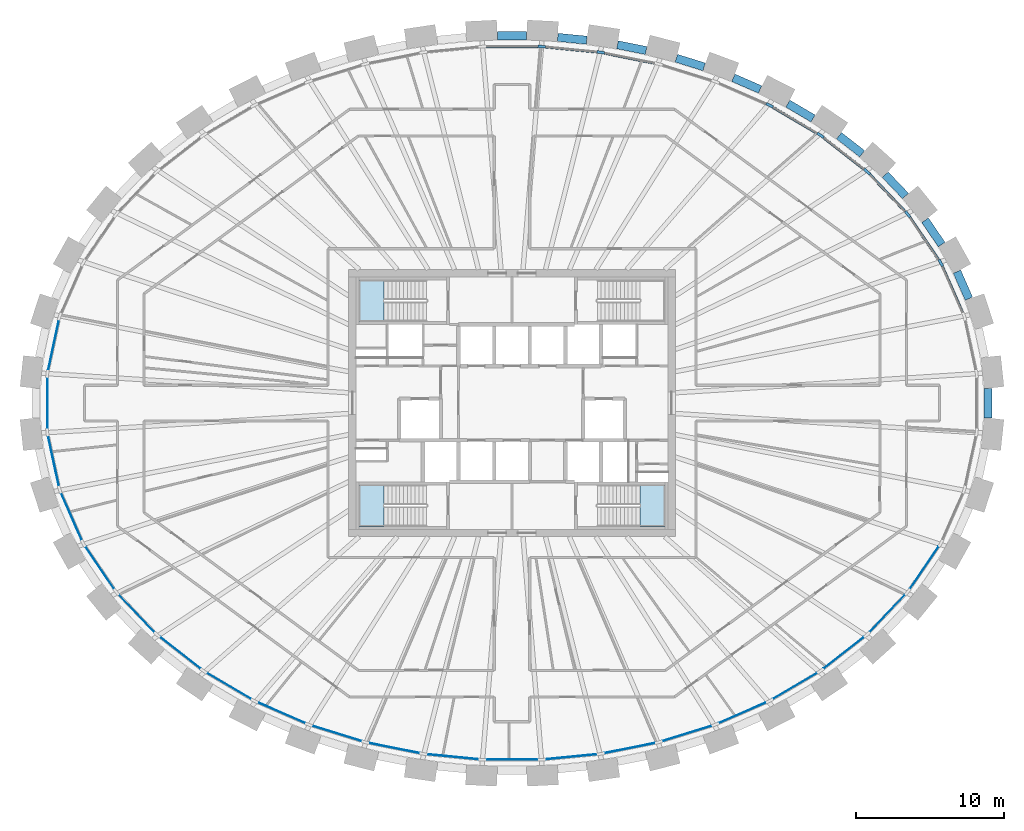
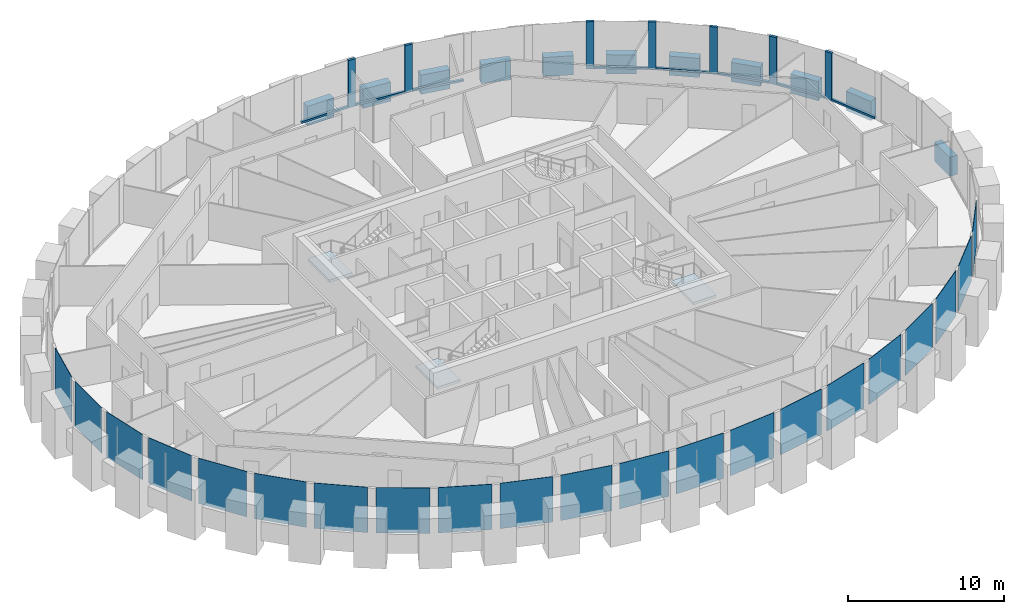
# One storey, part 4 of 12: 21 plates, 15 members, 11 beams, 3 slabs, 4 elements without a shape of their own.
"""IFC4 building model written with IfcOpenShell, lengths in metres."""

from ifc_helpers import new_model, si_unit, direction, frame, origin, origin_2d, place, context, subcontext, project, spatial, polyline, rectangle, outline, extrude, source, transform, mapped, material, layer, layer_set, material_profile, profile_set, type_object, element, aggregate, save


model = new_model("IFC4")

# Units and contexts
model_context = context("Model", 3, precision=1e-05, world=origin(), true_north=direction((0.0, 1.0)))
body_context = subcontext(model_context, "Body", "Model", "MODEL_VIEW")
ifc_project = project(units=[si_unit("LENGTHUNIT", "METRE"), si_unit("AREAUNIT", "SQUARE_METRE"), si_unit("VOLUMEUNIT", "CUBIC_METRE"), si_unit("PLANEANGLEUNIT", "RADIAN"), si_unit("MASSUNIT", "GRAM", prefix="KILO")], contexts=[model_context])

# Site, building, storey
site_placement = place(None, origin())
site = spatial("IfcSite", under=ifc_project, at=site_placement, CompositionType="ELEMENT")
building_placement = place(site_placement, origin())
building = spatial("IfcBuilding", under=site, at=building_placement, Name="Embergate Tower", CompositionType="ELEMENT")
storey_placement = place(building_placement, frame((0.0, 0.0, 273.39990234375)))
storey = spatial("IfcBuildingStorey", under=building, at=storey_placement, Name="L63", CompositionType="ELEMENT", Elevation=273.39990234375)

# Beams
ifc_material_1 = material(Name="Concrete C60", Category="concrete")
ifc_material_profile_1 = material_profile(ifc_material_1, rectangle(XDim=0.550048828125, YDim=1.5, at=origin_2d()), Name="RC 550x1500")
ifc_profile_set_1 = profile_set([ifc_material_profile_1], Name="Concrete C60")
beam_type = type_object("IfcBeamType", Name="Spandrel beam RC 550x1500 C60", PredefinedType="BEAM", material=ifc_profile_set_1)
shared_shape_1 = source(origin(), body_context, "Body", "SweptSolid", [
    extrude(rectangle(XDim=0.550048828125, YDim=1.5, at=origin_2d()), origin(), (0.0, 0.0, 1.0), 1.989990234375),
])
beam_1_placement = place(storey_placement, frame((30.777099609375, 7.032958984375, 0.0), z_axis=(-0.402047764255, 0.915618695341, 0.0), x_axis=(-0.915618695341, -0.402047764255, 0.0)))
element("IfcBeam", 1, at=beam_1_placement, inside=storey, type_object=beam_type, Name="SPN-L63-01", PredefinedType="BEAM", context=body_context, shape_type="MappedRepresentation", body=[
    mapped(shared_shape_1, transform((0.0, 0.0, 0.0))),
])
shared_shape_2 = source(origin(), body_context, "Body", "SweptSolid", [
    extrude(rectangle(XDim=0.550048828125, YDim=1.5, at=origin_2d()), origin(), (0.0, 0.0, 1.0), 1.982421875),
])
beam_2_placement = place(storey_placement, frame((28.943115234375, 10.68310546875, 0.0), z_axis=(-0.56257611142, 0.82674549824, 0.0), x_axis=(-0.82674549824, -0.56257611142, 0.0)))
element("IfcBeam", 2, at=beam_2_placement, inside=storey, type_object=beam_type, Name="SPN-L63-02", PredefinedType="BEAM", context=body_context, shape_type="MappedRepresentation", body=[
    mapped(shared_shape_2, transform((0.0, 0.0, 0.0))),
])
shared_shape_3 = source(origin(), body_context, "Body", "SweptSolid", [
    extrude(rectangle(XDim=0.550048828125, YDim=1.5, at=origin_2d()), origin(), (0.0, 0.0, 1.0), 1.97900390625),
])
beam_3_placement = place(storey_placement, frame((26.509033203125, 13.9560546875, 0.0), z_axis=(-0.690255649164, 0.723565573253, 0.0), x_axis=(-0.723565573253, -0.690255649164, 0.0)))
element("IfcBeam", 3, at=beam_3_placement, inside=storey, type_object=beam_type, Name="SPN-L63-03", PredefinedType="BEAM", context=body_context, shape_type="MappedRepresentation", body=[
    mapped(shared_shape_3, transform((0.0, 0.0, 0.0))),
])
shared_shape_4 = source(origin(), body_context, "Body", "SweptSolid", [
    extrude(rectangle(XDim=0.550048828125, YDim=1.5, at=origin_2d()), origin(), (0.0, 0.0, 1.0), 1.974853515625),
])
beam_4_placement = place(storey_placement, frame((23.5869140625, 16.797119140625, 0.0), z_axis=(-0.788385979859, 0.61518090572, 0.0), x_axis=(-0.61518090572, -0.788385979859, 0.0)))
element("IfcBeam", 4, at=beam_4_placement, inside=storey, type_object=beam_type, Name="SPN-L63-04", PredefinedType="BEAM", context=body_context, shape_type="MappedRepresentation", body=[
    mapped(shared_shape_4, transform((0.0, 0.0, 0.0))),
])
shared_shape_5 = source(origin(), body_context, "Body", "SweptSolid", [
    extrude(rectangle(XDim=0.550048828125, YDim=1.5, at=origin_2d()), origin(), (0.0, 0.0, 1.0), 1.969482421875),
])
beam_5_placement = place(storey_placement, frame((20.281982421875, 19.176025390625, 0.0), z_axis=(-0.862106236571, 0.506727576578, 0.0), x_axis=(-0.506727576578, -0.862106236571, 0.0)))
element("IfcBeam", 5, at=beam_5_placement, inside=storey, type_object=beam_type, Name="SPN-L63-05", PredefinedType="BEAM", context=body_context, shape_type="MappedRepresentation", body=[
    mapped(shared_shape_5, transform((0.0, 0.0, 0.0))),
])
shared_shape_6 = source(origin(), body_context, "Body", "SweptSolid", [
    extrude(rectangle(XDim=0.550048828125, YDim=1.5, at=origin_2d()), origin(), (0.0, 0.0, 1.0), 1.96630859375),
])
beam_6_placement = place(storey_placement, frame((16.714111328125, 21.12890625, 0.0), z_axis=(-0.916393681964, 0.400278177842, 0.0), x_axis=(-0.400278177842, -0.916393681964, 0.0)))
element("IfcBeam", 6, at=beam_6_placement, inside=storey, type_object=beam_type, Name="SPN-L63-06", PredefinedType="BEAM", context=body_context, shape_type="MappedRepresentation", body=[
    mapped(shared_shape_6, transform((0.0, 0.0, 0.0))),
])
shared_shape_7 = source(origin(), body_context, "Body", "SweptSolid", [
    extrude(rectangle(XDim=0.550048828125, YDim=1.5, at=origin_2d()), origin(), (0.0, 0.0, 1.0), 1.96484375),
])
beam_7_placement = place(storey_placement, frame((12.945068359375, 22.65087890625, 0.0), z_axis=(-0.954771364399, 0.297340951979, 0.0), x_axis=(-0.297340951979, -0.954771364399, 0.0)))
element("IfcBeam", 7, at=beam_7_placement, inside=storey, type_object=beam_type, Name="SPN-L63-07", PredefinedType="BEAM", context=body_context, shape_type="MappedRepresentation", body=[
    mapped(shared_shape_7, transform((0.0, 0.0, 0.0))),
])
shared_shape_8 = source(origin(), body_context, "Body", "SweptSolid", [
    extrude(rectangle(XDim=0.550048828125, YDim=1.5, at=origin_2d()), origin(), (0.0, 0.0, 1.0), 1.963134765625),
])
beam_8_placement = place(storey_placement, frame((9.033935546875, 23.7548828125, 0.0), z_axis=(-0.980580675691, 0.196116135138, 0.0), x_axis=(-0.196116135138, -0.980580675691, 0.0)))
element("IfcBeam", 8, at=beam_8_placement, inside=storey, type_object=beam_type, Name="SPN-L63-08", PredefinedType="BEAM", context=body_context, shape_type="MappedRepresentation", body=[
    mapped(shared_shape_8, transform((0.0, 0.0, 0.0))),
])
shared_shape_9 = source(origin(), body_context, "Body", "SweptSolid", [
    extrude(rectangle(XDim=0.550048828125, YDim=1.5, at=origin_2d()), origin(), (0.0, 0.0, 1.0), 1.96240234375),
])
beam_9_placement = place(storey_placement, frame((5.031982421875, 24.449951171875, 0.0), z_axis=(-0.99519482752, 0.097914530474, 0.0), x_axis=(-0.097914530474, -0.99519482752, 0.0)))
element("IfcBeam", 9, at=beam_9_placement, inside=storey, type_object=beam_type, Name="SPN-L63-09", PredefinedType="BEAM", context=body_context, shape_type="MappedRepresentation", body=[
    mapped(shared_shape_9, transform((0.0, 0.0, 0.0))),
])
shared_shape_10 = source(origin(), body_context, "Body", "SweptSolid", [
    extrude(rectangle(XDim=0.550048828125, YDim=1.5, at=origin_2d()), origin(), (0.0, 0.0, 1.0), 1.9619140625),
])
beam_10_placement = place(storey_placement, frame((0.98095703125, 24.7451171875, 0.0), z_axis=(-1.0, 0.0, 0.0), x_axis=(0.0, -1.0, 0.0)))
element("IfcBeam", 10, at=beam_10_placement, inside=storey, type_object=beam_type, Name="SPN-L63-10", PredefinedType="BEAM", context=body_context, shape_type="MappedRepresentation", body=[
    mapped(shared_shape_10, transform((0.0, 0.0, 0.0))),
])
shared_shape_11 = source(origin(), body_context, "Body", "SweptSolid", [
    extrude(rectangle(XDim=0.550048828125, YDim=1.5, at=origin_2d()), origin(), (0.0, 0.0, 1.0), 1.994140625),
])
beam_11_placement = place(storey_placement, frame((32.06396484375, -0.9970703125, 0.0), z_axis=(0.0, 1.0, 0.0), x_axis=(-1.0, 0.0, 0.0)))
element("IfcBeam", 11, at=beam_11_placement, inside=storey, type_object=beam_type, Name="SPN-L63-43", PredefinedType="BEAM", context=body_context, shape_type="MappedRepresentation", body=[
    mapped(shared_shape_11, transform((0.0, 0.0, 0.0))),
])

# Curtain wall, members, plates
ifc_material_2 = material(Name="Aluminium and glass", Category="aluminium")
curtain_wall_type = type_object("IfcCurtainWallType", Name="Recessed office glazing", PredefinedType="NOTDEFINED", material=ifc_material_2)
curtain_wall_placement = place(storey_placement, origin())
curtain_wall = element("IfcCurtainWall", 12, at=curtain_wall_placement, inside=storey, type_object=curtain_wall_type, Name="Recessed office glazing ring", ObjectType="RECESSED OFFICE GLAZING", PredefinedType="USERDEFINED")
ifc_material_3 = material(Name="Aluminium, thermally broken", Category="aluminium")
ifc_material_profile_2 = material_profile(ifc_material_3, rectangle(XDim=0.179931640625, YDim=0.52001953125, at=origin_2d()), Name="AL 520x180")
ifc_profile_set_2 = profile_set([ifc_material_profile_2], Name="Aluminium, thermally broken")
member_type_1 = type_object("IfcMemberType", Name="Office mullion", PredefinedType="MULLION", material=ifc_profile_set_2)
shared_shape_12 = source(origin(), body_context, "Body", "SweptSolid", [
    extrude(rectangle(XDim=0.179931640625, YDim=0.52001953125, at=origin_2d()), origin(), (0.0, 0.0, 1.0), 3.7001953125),
])
member_1_placement = place(storey_placement, frame((28.8837890625, 9.447998046875, 0.0), z_axis=(0.0, 0.0, 1.0), x_axis=(-0.874992601244, -0.484136290489, 0.0)))
member_1 = element("IfcMember", 13, at=member_1_placement, type_object=member_type_1, Name="CW mullion 3", PredefinedType="MULLION", context=body_context, shape_type="MappedRepresentation", body=[
    mapped(shared_shape_12, transform((0.0, 0.0, 0.0))),
])
member_2_placement = place(storey_placement, frame((26.656494140625, 12.72314453125, 0.0), z_axis=(0.0, 0.0, 1.0), x_axis=(-0.777861596203, -0.628435626897, 0.0)))
member_2 = element("IfcMember", 14, at=member_2_placement, type_object=member_type_1, Name="CW mullion 4", PredefinedType="MULLION", context=body_context, shape_type="MappedRepresentation", body=[
    mapped(shared_shape_12, transform((0.0, 0.0, 0.0))),
])
member_3_placement = place(storey_placement, frame((23.9169921875, 15.595703125, 0.0), z_axis=(0.0, 0.0, 1.0), x_axis=(-0.671216184057, -0.741261650337, 0.0)))
member_3 = element("IfcMember", 15, at=member_3_placement, type_object=member_type_1, Name="CW mullion 5", PredefinedType="MULLION", context=body_context, shape_type="MappedRepresentation", body=[
    mapped(shared_shape_12, transform((0.0, 0.0, 0.0))),
])
member_4_placement = place(storey_placement, frame((20.781982421875, 18.042236328125, 0.0), z_axis=(0.0, 0.0, 1.0), x_axis=(-0.562207514921, -0.82699619719, 0.0)))
member_4 = element("IfcMember", 16, at=member_4_placement, type_object=member_type_1, Name="CW mullion 6", PredefinedType="MULLION", context=body_context, shape_type="MappedRepresentation", body=[
    mapped(shared_shape_12, transform((0.0, 0.0, 0.0))),
])
member_5_placement = place(storey_placement, frame((17.34912109375, 20.060791015625, 0.0), z_axis=(0.0, 0.0, 1.0), x_axis=(-0.454503607328, -0.89074489666, 0.0)))
member_5 = element("IfcMember", 17, at=member_5_placement, type_object=member_type_1, Name="CW mullion 7", PredefinedType="MULLION", context=body_context, shape_type="MappedRepresentation", body=[
    mapped(shared_shape_12, transform((0.0, 0.0, 0.0))),
])
member_6_placement = place(storey_placement, frame((5.9716796875, 23.629638671875, 0.0), z_axis=(0.0, 0.0, 1.0), x_axis=(-0.147408930294, -0.989075632735, 0.0)))
member_6 = element("IfcMember", 18, at=member_6_placement, type_object=member_type_1, Name="CW mullion 10", PredefinedType="MULLION", context=body_context, shape_type="MappedRepresentation", body=[
    mapped(shared_shape_12, transform((0.0, 0.0, 0.0))),
])
member_7_placement = place(storey_placement, frame((1.9970703125, 24.020263671875, 0.0), z_axis=(0.0, 0.0, 1.0), x_axis=(-0.048970053385, -0.998800247232, 0.0)))
member_7 = element("IfcMember", 19, at=member_7_placement, type_object=member_type_1, Name="CW mullion 11", PredefinedType="MULLION", context=body_context, shape_type="MappedRepresentation", body=[
    mapped(shared_shape_12, transform((0.0, 0.0, 0.0))),
])
ifc_material_profile_3 = material_profile(ifc_material_3, rectangle(XDim=0.179931640625, YDim=0.14990234375, at=origin_2d()), Name="AL 150x180")
ifc_profile_set_3 = profile_set([ifc_material_profile_3], Name="Aluminium, thermally broken")
member_type_2 = type_object("IfcMemberType", Name="Office sill transom", PredefinedType="USERDEFINED", material=ifc_profile_set_3)
shared_shape_13 = source(origin(), body_context, "Body", "SweptSolid", [
    extrude(rectangle(XDim=0.179931640625, YDim=0.14990234375, at=origin_2d()), origin(), (0.0, 0.0, 1.0), 3.43212890625),
])
member_8_placement = place(storey_placement, frame((30.36669921875, 6.066650390625, 0.0751953125), z_axis=(-0.401632188585, 0.915801061963, 0.0), x_axis=(-0.915801061963, -0.401632188585, 0.0)))
member_8 = element("IfcMember", 20, at=member_8_placement, type_object=member_type_2, Name="CW transom 2.1", ObjectType="TRANSOM", PredefinedType="USERDEFINED", context=body_context, shape_type="MappedRepresentation", body=[
    mapped(shared_shape_13, transform((0.0, 0.0, 0.0))),
])
shared_shape_14 = source(origin(), body_context, "Body", "SweptSolid", [
    extrude(rectangle(XDim=0.179931640625, YDim=0.14990234375, at=origin_2d()), origin(), (0.0, 0.0, 1.0), 3.44091796875),
])
member_9_placement = place(storey_placement, frame((28.737548828125, 9.662841796875, 0.0751953125), z_axis=(-0.562372122954, 0.826884269607, 0.0), x_axis=(-0.826884269607, -0.562372122954, 0.0)))
member_9 = element("IfcMember", 21, at=member_9_placement, type_object=member_type_2, Name="CW transom 3.1", ObjectType="TRANSOM", PredefinedType="USERDEFINED", context=body_context, shape_type="MappedRepresentation", body=[
    mapped(shared_shape_14, transform((0.0, 0.0, 0.0))),
])
shared_shape_15 = source(origin(), body_context, "Body", "SweptSolid", [
    extrude(rectangle(XDim=0.179931640625, YDim=0.14990234375, at=origin_2d()), origin(), (0.0, 0.0, 1.0), 3.449462890625),
])
member_10_placement = place(storey_placement, frame((26.47705078125, 12.9111328125, 0.0751953125), z_axis=(-0.690133956855, 0.723681643815, 0.0), x_axis=(-0.723681643815, -0.690133956855, 0.0)))
member_10 = element("IfcMember", 22, at=member_10_placement, type_object=member_type_2, Name="CW transom 4.1", ObjectType="TRANSOM", PredefinedType="USERDEFINED", context=body_context, shape_type="MappedRepresentation", body=[
    mapped(shared_shape_15, transform((0.0, 0.0, 0.0))),
])
shared_shape_16 = source(origin(), body_context, "Body", "SweptSolid", [
    extrude(rectangle(XDim=0.179931640625, YDim=0.14990234375, at=origin_2d()), origin(), (0.0, 0.0, 1.0), 3.456787109375),
])
member_11_placement = place(storey_placement, frame((23.712158203125, 15.755615234375, 0.0751953125), z_axis=(-0.788343354806, 0.615235528016, 0.0), x_axis=(-0.615235528016, -0.788343354806, 0.0)))
member_11 = element("IfcMember", 23, at=member_11_placement, type_object=member_type_2, Name="CW transom 5.1", ObjectType="TRANSOM", PredefinedType="USERDEFINED", context=body_context, shape_type="MappedRepresentation", body=[
    mapped(shared_shape_16, transform((0.0, 0.0, 0.0))),
])
shared_shape_17 = source(origin(), body_context, "Body", "SweptSolid", [
    extrude(rectangle(XDim=0.179931640625, YDim=0.14990234375, at=origin_2d()), origin(), (0.0, 0.0, 1.0), 3.462646484375),
])
member_12_placement = place(storey_placement, frame((20.55810546875, 18.174072265625, 0.0751953125), z_axis=(-0.862068308193, 0.506792099394, 0.0), x_axis=(-0.506792099394, -0.862068308193, 0.0)))
member_12 = element("IfcMember", 24, at=member_12_placement, type_object=member_type_2, Name="CW transom 6.1", ObjectType="TRANSOM", PredefinedType="USERDEFINED", context=body_context, shape_type="MappedRepresentation", body=[
    mapped(shared_shape_17, transform((0.0, 0.0, 0.0))),
])
shared_shape_18 = source(origin(), body_context, "Body", "SweptSolid", [
    extrude(rectangle(XDim=0.179931640625, YDim=0.14990234375, at=origin_2d()), origin(), (0.0, 0.0, 1.0), 3.472412109375),
])
member_13_placement = place(storey_placement, frame((9.631103515625, 22.8955078125, 0.0751953125), z_axis=(-0.980472357372, 0.196656951134, 0.0), x_axis=(-0.196656951134, -0.980472357372, 0.0)))
member_13 = element("IfcMember", 25, at=member_13_placement, type_object=member_type_2, Name="CW transom 9.1", ObjectType="TRANSOM", PredefinedType="USERDEFINED", context=body_context, shape_type="MappedRepresentation", body=[
    mapped(shared_shape_18, transform((0.0, 0.0, 0.0))),
])
shared_shape_19 = source(origin(), body_context, "Body", "SweptSolid", [
    extrude(rectangle(XDim=0.179931640625, YDim=0.14990234375, at=origin_2d()), origin(), (0.0, 0.0, 1.0), 3.4736328125),
])
member_14_placement = place(storey_placement, frame((5.712890625, 23.655029296875, 0.0751953125), z_axis=(-0.99520279702, 0.0978334953, 0.0), x_axis=(-0.0978334953, -0.99520279702, 0.0)))
member_14 = element("IfcMember", 26, at=member_14_placement, type_object=member_type_2, Name="CW transom 10.1", ObjectType="TRANSOM", PredefinedType="USERDEFINED", context=body_context, shape_type="MappedRepresentation", body=[
    mapped(shared_shape_19, transform((0.0, 0.0, 0.0))),
])
shared_shape_20 = source(origin(), body_context, "Body", "SweptSolid", [
    extrude(rectangle(XDim=0.179931640625, YDim=0.14990234375, at=origin_2d()), origin(), (0.0, 0.0, 1.0), 3.47412109375),
])
member_15_placement = place(storey_placement, frame((1.737060546875, 24.020263671875, 0.0751953125), z_axis=(-1.0, 0.0, 0.0), x_axis=(0.0, -1.0, 0.0)))
member_15 = element("IfcMember", 27, at=member_15_placement, type_object=member_type_2, Name="CW transom 11.1", ObjectType="TRANSOM", PredefinedType="USERDEFINED", context=body_context, shape_type="MappedRepresentation", body=[
    mapped(shared_shape_20, transform((0.0, 0.0, 0.0))),
])
ifc_material_4 = material(Name="Triple glazing, low-emissivity coating", Category="glass")
ifc_layer_1 = layer(ifc_material_4, 0.035888671875)
ifc_layer_set_1 = layer_set([ifc_layer_1], Name="Triple glazing, low-emissivity coating")
plate_type = type_object("IfcPlateType", Name="Office glazing unit", PredefinedType="CURTAIN_PANEL", material=ifc_layer_set_1)
shared_shape_21 = source(origin(), body_context, "Body", "SweptSolid", [
    extrude(rectangle(XDim=3.42529296875, YDim=0.035888671875, at=origin_2d()), origin(), (0.0, 0.0, 1.0), 3.550048828125),
])
plate_1_placement = place(storey_placement, frame((-30.88623046875, 3.89990234375, 0.14990234375), z_axis=(0.0, 0.0, 1.0), x_axis=(-0.210401803698, -0.977614996305, 0.0)))
plate_1 = element("IfcPlate", 28, at=plate_1_placement, type_object=plate_type, Name="CW panel 21.1", PredefinedType="CURTAIN_PANEL", context=body_context, shape_type="MappedRepresentation", body=[
    mapped(shared_shape_21, transform((0.0, 0.0, 0.0))),
])
plate_2_placement = place(storey_placement, frame((-30.88623046875, -3.89990234375, 0.14990234375), z_axis=(0.0, 0.0, 1.0), x_axis=(0.210401803698, -0.977614996305, 0.0)))
plate_2 = element("IfcPlate", 29, at=plate_2_placement, type_object=plate_type, Name="CW panel 23.1", PredefinedType="CURTAIN_PANEL", context=body_context, shape_type="MappedRepresentation", body=[
    mapped(shared_shape_21, transform((0.0, 0.0, 0.0))),
])
shared_shape_22 = source(origin(), body_context, "Body", "SweptSolid", [
    extrude(rectangle(XDim=3.43212890625, YDim=0.035888671875, at=origin_2d()), origin(), (0.0, 0.0, 1.0), 3.550048828125),
])
plate_3_placement = place(storey_placement, frame((-29.677490234375, -7.63818359375, 0.14990234375), z_axis=(0.0, 0.0, 1.0), x_axis=(0.401658494584, -0.915789524797, 0.0)))
plate_3 = element("IfcPlate", 30, at=plate_3_placement, type_object=plate_type, Name="CW panel 24.1", PredefinedType="CURTAIN_PANEL", context=body_context, shape_type="MappedRepresentation", body=[
    mapped(shared_shape_22, transform((0.0, 0.0, 0.0))),
])
shared_shape_23 = source(origin(), body_context, "Body", "SweptSolid", [
    extrude(rectangle(XDim=3.44091796875, YDim=0.035888671875, at=origin_2d()), origin(), (0.0, 0.0, 1.0), 3.550048828125),
])
plate_4_placement = place(storey_placement, frame((-27.77001953125, -11.08544921875, 0.14990234375), z_axis=(0.0, 0.0, 1.0), x_axis=(0.562348958001, -0.826900023845, 0.0)))
plate_4 = element("IfcPlate", 31, at=plate_4_placement, type_object=plate_type, Name="CW panel 25.1", PredefinedType="CURTAIN_PANEL", context=body_context, shape_type="MappedRepresentation", body=[
    mapped(shared_shape_23, transform((0.0, 0.0, 0.0))),
])
plate_5_placement = place(storey_placement, frame((27.77001953125, -11.08544921875, 0.14990234375), z_axis=(0.0, 0.0, 1.0), x_axis=(0.562348958001, 0.826900023845, 0.0)))
plate_5 = element("IfcPlate", 32, at=plate_5_placement, type_object=plate_type, Name="CW panel 41.1", PredefinedType="CURTAIN_PANEL", context=body_context, shape_type="MappedRepresentation", body=[
    mapped(shared_shape_23, transform((0.0, 0.0, 0.0))),
])
shared_shape_24 = source(origin(), body_context, "Body", "SweptSolid", [
    extrude(rectangle(XDim=3.44921875, YDim=0.035888671875, at=origin_2d()), origin(), (0.0, 0.0, 1.0), 3.550048828125),
])
plate_6_placement = place(storey_placement, frame((-25.28662109375, -14.1591796875, 0.14990234375), z_axis=(0.0, 0.0, 1.0), x_axis=(0.6901388367, -0.723676990154, 0.0)))
plate_6 = element("IfcPlate", 33, at=plate_6_placement, type_object=plate_type, Name="CW panel 26.1", PredefinedType="CURTAIN_PANEL", context=body_context, shape_type="MappedRepresentation", body=[
    mapped(shared_shape_24, transform((0.0, 0.0, 0.0))),
])
plate_7_placement = place(storey_placement, frame((25.28662109375, -14.1591796875, 0.14990234375), z_axis=(0.0, 0.0, 1.0), x_axis=(0.6901388367, 0.723676990154, 0.0)))
plate_7 = element("IfcPlate", 34, at=plate_7_placement, type_object=plate_type, Name="CW panel 40.1", PredefinedType="CURTAIN_PANEL", context=body_context, shape_type="MappedRepresentation", body=[
    mapped(shared_shape_24, transform((0.0, 0.0, 0.0))),
])
shared_shape_25 = source(origin(), body_context, "Body", "SweptSolid", [
    extrude(rectangle(XDim=3.456787109375, YDim=0.035888671875, at=origin_2d()), origin(), (0.0, 0.0, 1.0), 3.550048828125),
])
plate_8_placement = place(storey_placement, frame((-22.349609375, -16.81884765625, 0.14990234375), z_axis=(0.0, 0.0, 1.0), x_axis=(0.788323340765, -0.615261172515, 0.0)))
plate_8 = element("IfcPlate", 35, at=plate_8_placement, type_object=plate_type, Name="CW panel 27.1", PredefinedType="CURTAIN_PANEL", context=body_context, shape_type="MappedRepresentation", body=[
    mapped(shared_shape_25, transform((0.0, 0.0, 0.0))),
])
plate_9_placement = place(storey_placement, frame((22.349609375, -16.81884765625, 0.14990234375), z_axis=(0.0, 0.0, 1.0), x_axis=(0.788323340765, 0.615261172515, 0.0)))
plate_9 = element("IfcPlate", 36, at=plate_9_placement, type_object=plate_type, Name="CW panel 39.1", PredefinedType="CURTAIN_PANEL", context=body_context, shape_type="MappedRepresentation", body=[
    mapped(shared_shape_25, transform((0.0, 0.0, 0.0))),
])
shared_shape_26 = source(origin(), body_context, "Body", "SweptSolid", [
    extrude(rectangle(XDim=3.462646484375, YDim=0.035888671875, at=origin_2d()), origin(), (0.0, 0.0, 1.0), 3.550048828125),
])
plate_10_placement = place(storey_placement, frame((-19.0654296875, -19.051513671875, 0.14990234375), z_axis=(0.0, 0.0, 1.0), x_axis=(0.862054936934, -0.506814843614, 0.0)))
plate_10 = element("IfcPlate", 37, at=plate_10_placement, type_object=plate_type, Name="CW panel 28.1", PredefinedType="CURTAIN_PANEL", context=body_context, shape_type="MappedRepresentation", body=[
    mapped(shared_shape_26, transform((0.0, 0.0, 0.0))),
])
plate_11_placement = place(storey_placement, frame((19.0654296875, -19.051513671875, 0.14990234375), z_axis=(0.0, 0.0, 1.0), x_axis=(0.862054936934, 0.506814843614, 0.0)))
plate_11 = element("IfcPlate", 38, at=plate_11_placement, type_object=plate_type, Name="CW panel 38.1", PredefinedType="CURTAIN_PANEL", context=body_context, shape_type="MappedRepresentation", body=[
    mapped(shared_shape_26, transform((0.0, 0.0, 0.0))),
])
shared_shape_27 = source(origin(), body_context, "Body", "SweptSolid", [
    extrude(rectangle(XDim=3.467041015625, YDim=0.035888671875, at=origin_2d()), origin(), (0.0, 0.0, 1.0), 3.550048828125),
])
plate_12_placement = place(storey_placement, frame((-15.5224609375, -20.859375, 0.14990234375), z_axis=(0.0, 0.0, 1.0), x_axis=(0.916237610228, -0.400635297502, 0.0)))
plate_12 = element("IfcPlate", 39, at=plate_12_placement, type_object=plate_type, Name="CW panel 29.1", PredefinedType="CURTAIN_PANEL", context=body_context, shape_type="MappedRepresentation", body=[
    mapped(shared_shape_27, transform((0.0, 0.0, 0.0))),
])
plate_13_placement = place(storey_placement, frame((15.5224609375, -20.859375, 0.14990234375), z_axis=(0.0, 0.0, 1.0), x_axis=(0.916237610228, 0.400635297502, 0.0)))
plate_13 = element("IfcPlate", 40, at=plate_13_placement, type_object=plate_type, Name="CW panel 37.1", PredefinedType="CURTAIN_PANEL", context=body_context, shape_type="MappedRepresentation", body=[
    mapped(shared_shape_27, transform((0.0, 0.0, 0.0))),
])
shared_shape_28 = source(origin(), body_context, "Body", "SweptSolid", [
    extrude(rectangle(XDim=3.47021484375, YDim=0.035888671875, at=origin_2d()), origin(), (0.0, 0.0, 1.0), 3.550048828125),
])
plate_14_placement = place(storey_placement, frame((-11.791015625, -22.251220703125, 0.14990234375), z_axis=(0.0, 0.0, 1.0), x_axis=(0.954772736126, -0.297336547283, 0.0)))
plate_14 = element("IfcPlate", 41, at=plate_14_placement, type_object=plate_type, Name="CW panel 30.1", PredefinedType="CURTAIN_PANEL", context=body_context, shape_type="MappedRepresentation", body=[
    mapped(shared_shape_28, transform((0.0, 0.0, 0.0))),
])
plate_15_placement = place(storey_placement, frame((11.791015625, -22.251220703125, 0.14990234375), z_axis=(0.0, 0.0, 1.0), x_axis=(0.954772736126, 0.297336547283, 0.0)))
plate_15 = element("IfcPlate", 42, at=plate_15_placement, type_object=plate_type, Name="CW panel 36.1", PredefinedType="CURTAIN_PANEL", context=body_context, shape_type="MappedRepresentation", body=[
    mapped(shared_shape_28, transform((0.0, 0.0, 0.0))),
])
shared_shape_29 = source(origin(), body_context, "Body", "SweptSolid", [
    extrude(rectangle(XDim=3.472412109375, YDim=0.035888671875, at=origin_2d()), origin(), (0.0, 0.0, 1.0), 3.550048828125),
])
plate_16_placement = place(storey_placement, frame((-7.928955078125, -23.237060546875, 0.14990234375), z_axis=(0.0, 0.0, 1.0), x_axis=(0.980476250608, -0.196637539636, 0.0)))
plate_16 = element("IfcPlate", 43, at=plate_16_placement, type_object=plate_type, Name="CW panel 31.1", PredefinedType="CURTAIN_PANEL", context=body_context, shape_type="MappedRepresentation", body=[
    mapped(shared_shape_29, transform((0.0, 0.0, 0.0))),
])
plate_17_placement = place(storey_placement, frame((7.928955078125, -23.237060546875, 0.14990234375), z_axis=(0.0, 0.0, 1.0), x_axis=(0.980476250608, 0.196637539636, 0.0)))
plate_17 = element("IfcPlate", 44, at=plate_17_placement, type_object=plate_type, Name="CW panel 35.1", PredefinedType="CURTAIN_PANEL", context=body_context, shape_type="MappedRepresentation", body=[
    mapped(shared_shape_29, transform((0.0, 0.0, 0.0))),
])
shared_shape_30 = source(origin(), body_context, "Body", "SweptSolid", [
    extrude(rectangle(XDim=3.4736328125, YDim=0.035888671875, at=origin_2d()), origin(), (0.0, 0.0, 1.0), 3.550048828125),
])
plate_18_placement = place(storey_placement, frame((-3.984375, -23.824951171875, 0.14990234375), z_axis=(0.0, 0.0, 1.0), x_axis=(0.995203355531, -0.09782781373, 0.0)))
plate_18 = element("IfcPlate", 45, at=plate_18_placement, type_object=plate_type, Name="CW panel 32.1", PredefinedType="CURTAIN_PANEL", context=body_context, shape_type="MappedRepresentation", body=[
    mapped(shared_shape_30, transform((0.0, 0.0, 0.0))),
])
plate_19_placement = place(storey_placement, frame((3.984375, -23.824951171875, 0.14990234375), z_axis=(0.0, 0.0, 1.0), x_axis=(0.995203355531, 0.09782781373, 0.0)))
plate_19 = element("IfcPlate", 46, at=plate_19_placement, type_object=plate_type, Name="CW panel 34.1", PredefinedType="CURTAIN_PANEL", context=body_context, shape_type="MappedRepresentation", body=[
    mapped(shared_shape_30, transform((0.0, 0.0, 0.0))),
])
shared_shape_31 = source(origin(), body_context, "Body", "SweptSolid", [
    extrude(rectangle(XDim=3.47412109375, YDim=0.035888671875, at=origin_2d()), origin(), (0.0, 0.0, 1.0), 3.550048828125),
])
plate_20_placement = place(storey_placement, frame((0.0, -24.020263671875, 0.14990234375), z_axis=(0.0, 0.0, 1.0), x_axis=(1.0, 0.0, 0.0)))
plate_20 = element("IfcPlate", 47, at=plate_20_placement, type_object=plate_type, Name="CW panel 33.1", PredefinedType="CURTAIN_PANEL", context=body_context, shape_type="MappedRepresentation", body=[
    mapped(shared_shape_31, transform((0.0, 0.0, 0.0))),
])
shared_shape_32 = source(origin(), body_context, "Body", "SweptSolid", [
    extrude(rectangle(XDim=3.4228515625, YDim=0.035888671875, at=origin_2d()), origin(), (0.0, 0.0, 1.0), 3.550048828125),
])
plate_21_placement = place(storey_placement, frame((-31.301513671875, 0.0, 0.14990234375), z_axis=(0.0, 0.0, 1.0), x_axis=(0.0, -1.0, 0.0)))
plate_21 = element("IfcPlate", 48, at=plate_21_placement, type_object=plate_type, Name="CW panel 22.1", PredefinedType="CURTAIN_PANEL", context=body_context, shape_type="MappedRepresentation", body=[
    mapped(shared_shape_32, transform((0.0, 0.0, 0.0))),
])
aggregate(curtain_wall, [member_1, member_2, member_3, member_4, member_5, member_6, member_7, member_8, member_9, member_10, member_11, member_12, member_13, member_14, member_15, plate_1, plate_21, plate_2, plate_3, plate_4, plate_6, plate_8, plate_10, plate_12, plate_14, plate_16, plate_18, plate_20, plate_19, plate_17, plate_15, plate_13, plate_11, plate_9, plate_7, plate_5])

# Stair, slab
ifc_material_5 = material(Name="Exit stair")
stair_type = type_object("IfcStairType", Name="Exit stair", PredefinedType="HALF_TURN_STAIR", material=ifc_material_5)
stair_1_placement = place(storey_placement, origin())
stair_1 = element("IfcStair", 49, at=stair_1_placement, inside=storey, type_object=stair_type, Name="L63 Exit stair 1", PredefinedType="HALF_TURN_STAIR")
ifc_material_6 = material(Name="Concrete C40", Category="concrete")
ifc_layer_2 = layer(ifc_material_6, 0.199951171875)
ifc_layer_set_2 = layer_set([ifc_layer_2], Name="Concrete C40")
slab_type = type_object("IfcSlabType", Name="Stair landing reinforced concrete", PredefinedType="LANDING", material=ifc_layer_set_2)
shared_shape_33 = source(origin(), body_context, "Body", "SweptSolid", [
    extrude(outline(polyline([(0.0, 0.0), (1.68994140625, 0.0), (1.68994140625, 2.800048828125), (0.0, 2.800048828125), (0.0, 0.0)])), origin(), (0.0, 0.0, 1.0), 0.2001953125),
])
slab_1_placement = place(storey_placement, frame((-10.300048828125, 5.5, 1.75)))
slab_1 = element("IfcSlab", 50, at=slab_1_placement, type_object=slab_type, Name="ST1 landing 1", PredefinedType="LANDING", context=body_context, shape_type="MappedRepresentation", body=[
    mapped(shared_shape_33, transform((0.0, 0.0, 0.0))),
])
aggregate(stair_1, [slab_1])

stair_2_placement = place(storey_placement, origin())
stair_2 = element("IfcStair", 51, at=stair_2_placement, inside=storey, type_object=stair_type, Name="L63 Exit stair 3", PredefinedType="HALF_TURN_STAIR")
slab_2_placement = place(storey_placement, frame((-10.300048828125, -8.300048828125, 1.75)))
slab_2 = element("IfcSlab", 52, at=slab_2_placement, type_object=slab_type, Name="ST3 landing 1", PredefinedType="LANDING", context=body_context, shape_type="MappedRepresentation", body=[
    mapped(shared_shape_33, transform((0.0, 0.0, 0.0))),
])
aggregate(stair_2, [slab_2])

stair_3_placement = place(storey_placement, origin())
stair_3 = element("IfcStair", 53, at=stair_3_placement, inside=storey, type_object=stair_type, Name="L63 Exit stair 4", PredefinedType="HALF_TURN_STAIR")
slab_3_placement = place(storey_placement, frame((8.610107421875, -8.300048828125, 1.75)))
slab_3 = element("IfcSlab", 54, at=slab_3_placement, type_object=slab_type, Name="ST4 landing 1", PredefinedType="LANDING", context=body_context, shape_type="MappedRepresentation", body=[
    mapped(shared_shape_33, transform((0.0, 0.0, 0.0))),
])
aggregate(stair_3, [slab_3])

save(model, "model.ifc")
